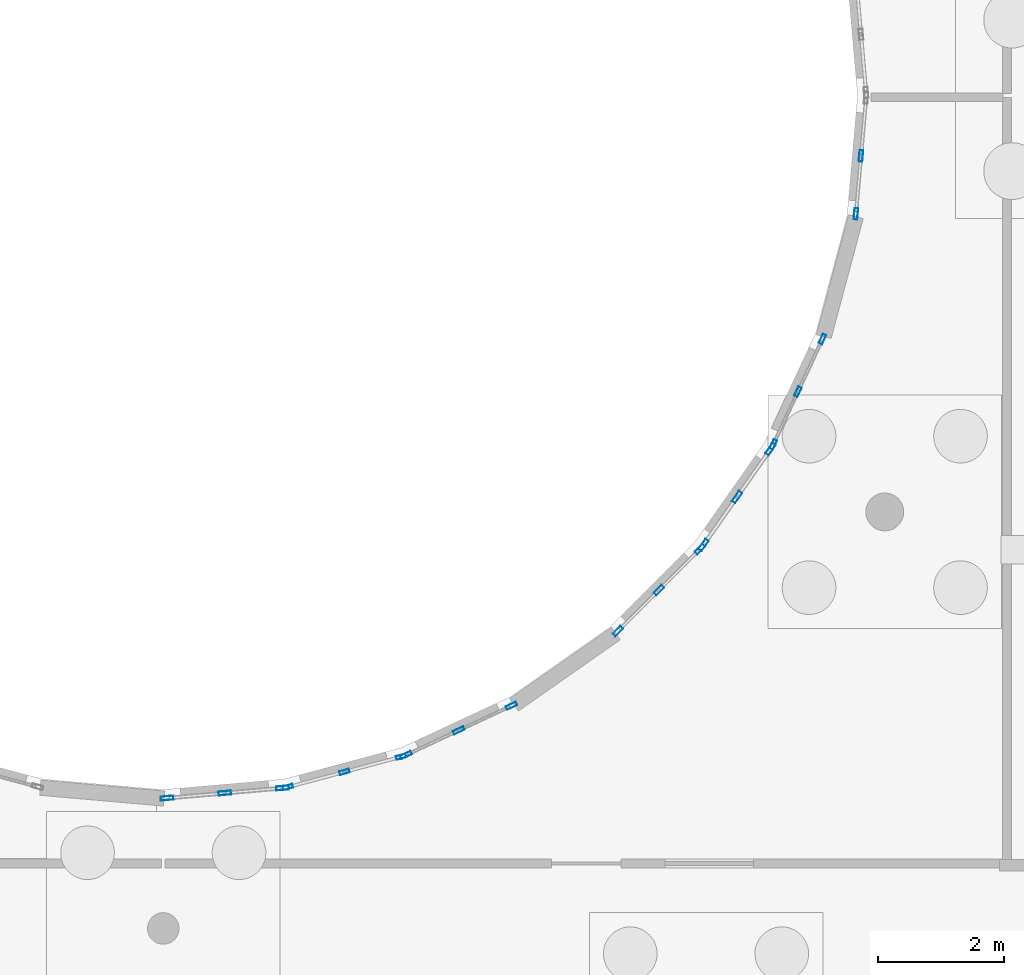
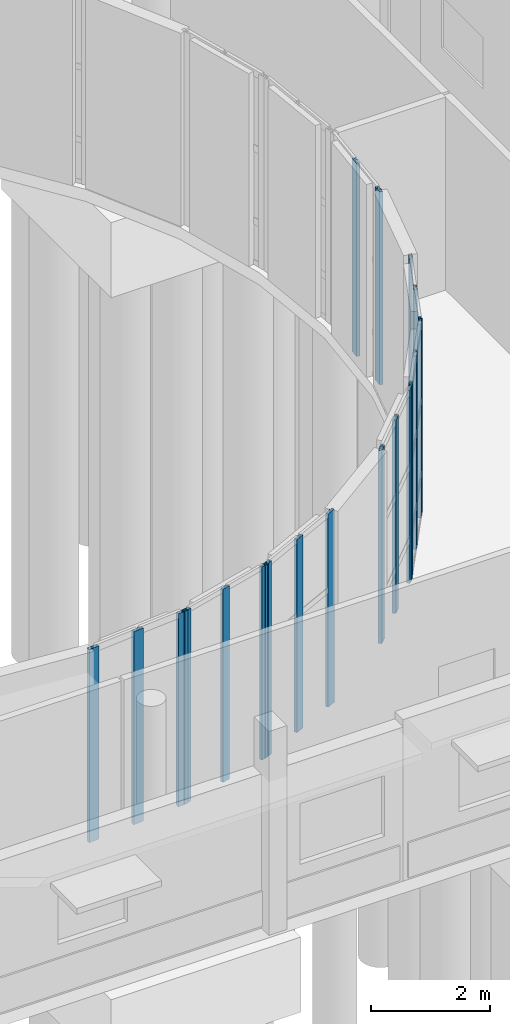
# One storey, part 30 of 93: 20 members, 7 elements without a shape of their own.
"""IFC4 building model written with IfcOpenShell, lengths in metres."""

from ifc_helpers import new_model, si_unit, direction, frame, origin, origin_2d, place, context, subcontext, project, spatial, hollow_rectangle, extrude, material, layer, layer_set, material_profile, profile_set, type_object, element, aggregate, save


model = new_model("IFC4")

# Units and contexts
model_context = context("Model", 3, precision=1e-05, world=origin(), true_north=direction((0.0, 1.0)))
body_context = subcontext(model_context, "Body", "Model", "MODEL_VIEW")
ifc_project = project(units=[si_unit("LENGTHUNIT", "METRE"), si_unit("AREAUNIT", "SQUARE_METRE"), si_unit("VOLUMEUNIT", "CUBIC_METRE"), si_unit("PLANEANGLEUNIT", "RADIAN"), si_unit("MASSUNIT", "GRAM", prefix="KILO")], contexts=[model_context])

# Site, building, storey
site_placement = place(None, origin())
site = spatial("IfcSite", under=ifc_project, at=site_placement, CompositionType="ELEMENT")
building_placement = place(site_placement, origin())
building = spatial("IfcBuilding", under=site, at=building_placement, Name="Kelanivale Promenade Academy", CompositionType="ELEMENT")
storey_placement = place(building_placement, origin())
storey = spatial("IfcBuildingStorey", under=building, at=storey_placement, Name="L00", CompositionType="ELEMENT", Elevation=0.0)

# Curtain wall, members
ifc_material_1 = material(Name="Bronze anodised aluminium and solar-control low-E glass", Category="aluminium")
ifc_layer_1 = layer(ifc_material_1, 0.159912109375)
ifc_layer_set_1 = layer_set([ifc_layer_1], Name="Bronze anodised aluminium and solar-control low-E glass")
curtain_wall_type_1 = type_object("IfcCurtainWallType", Name="CW-21 Curtain Wall 1650mm Module", PredefinedType="USERDEFINED", material=ifc_layer_set_1)
curtain_wall_1_placement = place(storey_placement, origin())
curtain_wall_1 = element("IfcCurtainWall", 1, at=curtain_wall_1_placement, inside=storey, type_object=curtain_wall_type_1, Name="L00 courtyard curtain wall CW-21", ObjectType="COURTYARD SCREEN GLAZING", PredefinedType="USERDEFINED")
ifc_material_2 = material(Name="Bronze anodised aluminium EN AW-6063 T6", Category="aluminium")
ifc_material_profile_1 = material_profile(ifc_material_2, hollow_rectangle(XDim=0.06005859375, YDim=0.159912109375, WallThickness=0.00390625, at=origin_2d()), Name="ALU 60x160x4.0")
ifc_profile_set_1 = profile_set([ifc_material_profile_1], Name="Bronze anodised aluminium EN AW-6063 T6")
member_type_1 = type_object("IfcMemberType", Name="CWM-01 ALU 60x160x4.0", PredefinedType="MULLION", material=ifc_profile_set_1)
member_1_placement = place(storey_placement, frame((65.375, 45.83984375, 0.0), z_axis=(0.0, 0.0, 1.0), x_axis=(-0.258701323721, 0.96595736195, 0.0)))
member_1 = element("IfcMember", 2, at=member_1_placement, type_object=member_type_1, Name="CW-21 mullion 1", PredefinedType="MULLION", context=body_context, shape_type="SweptSolid", body=[
    extrude(hollow_rectangle(XDim=0.06005859375, YDim=0.159912109375, WallThickness=0.00390625, at=origin_2d()), origin(), (0.0, 0.0, 1.0), 3.97998046875),
])
member_2_placement = place(storey_placement, frame((66.27197265625, 46.080078125, 0.0), z_axis=(0.0, 0.0, 1.0), x_axis=(-0.258701323721, 0.96595736195, 0.0)))
member_2 = element("IfcMember", 3, at=member_2_placement, type_object=member_type_1, Name="CW-21 mullion 2", PredefinedType="MULLION", context=body_context, shape_type="SweptSolid", body=[
    extrude(hollow_rectangle(XDim=0.06005859375, YDim=0.159912109375, WallThickness=0.00390625, at=origin_2d()), origin(), (0.0, 0.0, 1.0), 3.97998046875),
])
member_3_placement = place(storey_placement, frame((67.1689453125, 46.3203125, 0.0), z_axis=(0.0, 0.0, 1.0), x_axis=(-0.258701323721, 0.96595736195, 0.0)))
member_3 = element("IfcMember", 4, at=member_3_placement, type_object=member_type_1, Name="CW-21 mullion 3", PredefinedType="MULLION", context=body_context, shape_type="SweptSolid", body=[
    extrude(hollow_rectangle(XDim=0.06005859375, YDim=0.159912109375, WallThickness=0.00390625, at=origin_2d()), origin(), (0.0, 0.0, 1.0), 3.97998046875),
])
aggregate(curtain_wall_1, [member_1, member_2, member_3])

ifc_layer_2 = layer(ifc_material_1, 0.169921875)
ifc_layer_set_2 = layer_set([ifc_layer_2], Name="Bronze anodised aluminium and solar-control low-E glass")
curtain_wall_type_2 = type_object("IfcCurtainWallType", Name="CW-01 Curtain Wall 1350mm Module", PredefinedType="USERDEFINED", material=ifc_layer_set_2)
curtain_wall_2_placement = place(storey_placement, origin())
curtain_wall_2 = element("IfcCurtainWall", 5, at=curtain_wall_2_placement, inside=storey, type_object=curtain_wall_type_2, Name="L00 courtyard curtain wall CW-01", ObjectType="UNITISED GLAZING", PredefinedType="USERDEFINED")
member_4_placement = place(storey_placement, frame((73.065673828125, 51.26806640625, 0.0), z_axis=(0.0, 0.0, 1.0), x_axis=(-0.906089128146, 0.423086860887, 0.0)))
member_4 = element("IfcMember", 6, at=member_4_placement, type_object=member_type_1, Name="CW-01 mullion 1", PredefinedType="MULLION", context=body_context, shape_type="SweptSolid", body=[
    extrude(hollow_rectangle(XDim=0.06005859375, YDim=0.159912109375, WallThickness=0.00390625, at=origin_2d()), origin(), (0.0, 0.0, 1.0), 3.97998046875),
])
member_5_placement = place(storey_placement, frame((73.45556640625, 52.10302734375, 0.0), z_axis=(0.0, 0.0, 1.0), x_axis=(-0.906089128146, 0.423086860887, 0.0)))
member_5 = element("IfcMember", 7, at=member_5_placement, type_object=member_type_1, Name="CW-01 mullion 2", PredefinedType="MULLION", context=body_context, shape_type="SweptSolid", body=[
    extrude(hollow_rectangle(XDim=0.06005859375, YDim=0.159912109375, WallThickness=0.00390625, at=origin_2d()), origin(), (0.0, 0.0, 1.0), 3.97998046875),
])
member_6_placement = place(storey_placement, frame((73.84521484375, 52.937744140625, 0.0), z_axis=(0.0, 0.0, 1.0), x_axis=(-0.906089128146, 0.423086860887, 0.0)))
member_6 = element("IfcMember", 8, at=member_6_placement, type_object=member_type_1, Name="CW-01 mullion 3", PredefinedType="MULLION", context=body_context, shape_type="SweptSolid", body=[
    extrude(hollow_rectangle(XDim=0.06005859375, YDim=0.159912109375, WallThickness=0.00390625, at=origin_2d()), origin(), (0.0, 0.0, 1.0), 3.97998046875),
])
aggregate(curtain_wall_2, [member_4, member_5, member_6])

ifc_layer_3 = layer(ifc_material_1, 0.169921875)
ifc_layer_set_3 = layer_set([ifc_layer_3], Name="Bronze anodised aluminium and solar-control low-E glass")
curtain_wall_type_3 = type_object("IfcCurtainWallType", Name="CW-22 Curtain Wall 1800mm Module", PredefinedType="USERDEFINED", material=ifc_layer_set_3)
curtain_wall_3_placement = place(storey_placement, origin())
curtain_wall_3 = element("IfcCurtainWall", 9, at=curtain_wall_3_placement, inside=storey, type_object=curtain_wall_type_3, Name="L00 courtyard curtain wall CW-22", ObjectType="COURTYARD SCREEN GLAZING", PredefinedType="USERDEFINED")
ifc_material_profile_2 = material_profile(ifc_material_2, hollow_rectangle(XDim=0.06005859375, YDim=0.179931640625, WallThickness=0.00390625, at=origin_2d()), Name="ALU 60x180x4.0")
ifc_profile_set_2 = profile_set([ifc_material_profile_2], Name="Bronze anodised aluminium EN AW-6063 T6")
member_type_2 = type_object("IfcMemberType", Name="CWM-02 ALU 60x180x4.0", PredefinedType="MULLION", material=ifc_profile_set_2)
member_7_placement = place(storey_placement, frame((67.248291015625, 46.3486328125, 0.0), z_axis=(0.0, 0.0, 1.0), x_axis=(-0.423086860887, 0.906089128146, 0.0)))
member_7 = element("IfcMember", 10, at=member_7_placement, type_object=member_type_2, Name="CW-22 mullion 1", PredefinedType="MULLION", context=body_context, shape_type="SweptSolid", body=[
    extrude(hollow_rectangle(XDim=0.06005859375, YDim=0.179931640625, WallThickness=0.00390625, at=origin_2d()), origin(), (0.0, 0.0, 1.0), 3.97998046875),
])
member_8_placement = place(storey_placement, frame((68.0830078125, 46.738525390625, 0.0), z_axis=(0.0, 0.0, 1.0), x_axis=(-0.423086860887, 0.906089128146, 0.0)))
member_8 = element("IfcMember", 11, at=member_8_placement, type_object=member_type_2, Name="CW-22 mullion 2", PredefinedType="MULLION", context=body_context, shape_type="SweptSolid", body=[
    extrude(hollow_rectangle(XDim=0.06005859375, YDim=0.179931640625, WallThickness=0.00390625, at=origin_2d()), origin(), (0.0, 0.0, 1.0), 3.97998046875),
])
member_9_placement = place(storey_placement, frame((68.917724609375, 47.12841796875, 0.0), z_axis=(0.0, 0.0, 1.0), x_axis=(-0.423086860887, 0.906089128146, 0.0)))
member_9 = element("IfcMember", 12, at=member_9_placement, type_object=member_type_2, Name="CW-22 mullion 3", PredefinedType="MULLION", context=body_context, shape_type="SweptSolid", body=[
    extrude(hollow_rectangle(XDim=0.06005859375, YDim=0.179931640625, WallThickness=0.00390625, at=origin_2d()), origin(), (0.0, 0.0, 1.0), 3.97998046875),
])
aggregate(curtain_wall_3, [member_7, member_8, member_9])

ifc_layer_4 = layer(ifc_material_1, 0.179931640625)
ifc_layer_set_4 = layer_set([ifc_layer_4], Name="Bronze anodised aluminium and solar-control low-E glass")
curtain_wall_type_4 = type_object("IfcCurtainWallType", Name="CW-02 Curtain Wall 1500mm Module", PredefinedType="USERDEFINED", material=ifc_layer_set_4)
curtain_wall_4_placement = place(storey_placement, origin())
curtain_wall_4 = element("IfcCurtainWall", 13, at=curtain_wall_4_placement, inside=storey, type_object=curtain_wall_type_4, Name="L00 courtyard curtain wall CW-02", ObjectType="UNITISED GLAZING", PredefinedType="USERDEFINED")
member_10_placement = place(storey_placement, frame((74.375732421875, 54.9228515625, 0.0), z_axis=(0.0, 0.0, 1.0), x_axis=(-0.996185153601, 0.087264768066, 0.0)))
member_10 = element("IfcMember", 14, at=member_10_placement, type_object=member_type_2, Name="CW-02 mullion 1", PredefinedType="MULLION", context=body_context, shape_type="SweptSolid", body=[
    extrude(hollow_rectangle(XDim=0.06005859375, YDim=0.179931640625, WallThickness=0.00390625, at=origin_2d()), origin(), (0.0, 0.0, 1.0), 3.97998046875),
])
member_11_placement = place(storey_placement, frame((74.4560546875, 55.840576171875, 0.0), z_axis=(0.0, 0.0, 1.0), x_axis=(-0.996185153601, 0.087264768066, 0.0)))
member_11 = element("IfcMember", 15, at=member_11_placement, type_object=member_type_2, Name="CW-02 mullion 2", PredefinedType="MULLION", context=body_context, shape_type="SweptSolid", body=[
    extrude(hollow_rectangle(XDim=0.06005859375, YDim=0.179931640625, WallThickness=0.00390625, at=origin_2d()), origin(), (0.0, 0.0, 1.0), 3.97998046875),
])
aggregate(curtain_wall_4, [member_10, member_11])

ifc_layer_5 = layer(ifc_material_1, 0.179931640625)
ifc_layer_set_5 = layer_set([ifc_layer_5], Name="Bronze anodised aluminium and solar-control low-E glass")
curtain_wall_type_5 = type_object("IfcCurtainWallType", Name="CW-23 Curtain Wall 1950mm Module", PredefinedType="USERDEFINED", material=ifc_layer_set_5)
curtain_wall_5_placement = place(storey_placement, origin())
curtain_wall_5 = element("IfcCurtainWall", 16, at=curtain_wall_5_placement, inside=storey, type_object=curtain_wall_type_5, Name="L00 courtyard curtain wall CW-23", ObjectType="COURTYARD SCREEN GLAZING", PredefinedType="USERDEFINED")
ifc_material_profile_3 = material_profile(ifc_material_2, hollow_rectangle(XDim=0.06494140625, YDim=0.175048828125, WallThickness=0.00390625, at=origin_2d()), Name="ALU 65x175x4.0")
ifc_profile_set_3 = profile_set([ifc_material_profile_3], Name="Bronze anodised aluminium EN AW-6063 T6")
member_type_3 = type_object("IfcMemberType", Name="CWM-03 ALU 65x175x4.0", PredefinedType="MULLION", material=ifc_profile_set_3)
member_12_placement = place(storey_placement, frame((70.60400390625, 48.30908203125, 0.0), z_axis=(0.0, 0.0, 1.0), x_axis=(-0.707106781187, 0.707106781187, 0.0)))
member_12 = element("IfcMember", 17, at=member_12_placement, type_object=member_type_3, Name="CW-23 mullion 1", PredefinedType="MULLION", context=body_context, shape_type="SweptSolid", body=[
    extrude(hollow_rectangle(XDim=0.06494140625, YDim=0.175048828125, WallThickness=0.00390625, at=origin_2d()), origin(), (0.0, 0.0, 1.0), 3.97998046875),
])
member_13_placement = place(storey_placement, frame((71.2529296875, 48.9580078125, 0.0), z_axis=(0.0, 0.0, 1.0), x_axis=(-0.707106781187, 0.707106781187, 0.0)))
member_13 = element("IfcMember", 18, at=member_13_placement, type_object=member_type_3, Name="CW-23 mullion 2", PredefinedType="MULLION", context=body_context, shape_type="SweptSolid", body=[
    extrude(hollow_rectangle(XDim=0.06494140625, YDim=0.175048828125, WallThickness=0.00390625, at=origin_2d()), origin(), (0.0, 0.0, 1.0), 3.97998046875),
])
member_14_placement = place(storey_placement, frame((71.902099609375, 49.60693359375, 0.0), z_axis=(0.0, 0.0, 1.0), x_axis=(-0.707106781187, 0.707106781187, 0.0)))
member_14 = element("IfcMember", 19, at=member_14_placement, type_object=member_type_3, Name="CW-23 mullion 3", PredefinedType="MULLION", context=body_context, shape_type="SweptSolid", body=[
    extrude(hollow_rectangle(XDim=0.06494140625, YDim=0.175048828125, WallThickness=0.00390625, at=origin_2d()), origin(), (0.0, 0.0, 1.0), 3.97998046875),
])
aggregate(curtain_wall_5, [member_12, member_13, member_14])

ifc_layer_6 = layer(ifc_material_1, 0.179931640625)
ifc_layer_set_6 = layer_set([ifc_layer_6], Name="Bronze anodised aluminium and solar-control low-E glass")
curtain_wall_type_6 = type_object("IfcCurtainWallType", Name="CW-20 Curtain Wall 1500mm Module", PredefinedType="USERDEFINED", material=ifc_layer_set_6)
curtain_wall_6_placement = place(storey_placement, origin())
curtain_wall_6 = element("IfcCurtainWall", 20, at=curtain_wall_6_placement, inside=storey, type_object=curtain_wall_type_6, Name="L00 courtyard curtain wall CW-20", ObjectType="COURTYARD SCREEN GLAZING", PredefinedType="USERDEFINED")
ifc_material_profile_4 = material_profile(ifc_material_2, hollow_rectangle(XDim=0.06494140625, YDim=0.199951171875, WallThickness=0.00439453125, at=origin_2d()), Name="ALU 65x200x4.5")
ifc_profile_set_4 = profile_set([ifc_material_profile_4], Name="Bronze anodised aluminium EN AW-6063 T6")
member_type_4 = type_object("IfcMemberType", Name="CWM-04 ALU 65x200x4.5", PredefinedType="MULLION", material=ifc_profile_set_4)
member_15_placement = place(storey_placement, frame((63.45947265625, 45.664794921875, 0.0), z_axis=(0.0, 0.0, 1.0), x_axis=(-0.087264768066, 0.996185153601, 0.0)))
member_15 = element("IfcMember", 21, at=member_15_placement, type_object=member_type_4, Name="CW-20 mullion 1", PredefinedType="MULLION", context=body_context, shape_type="SweptSolid", body=[
    extrude(hollow_rectangle(XDim=0.06494140625, YDim=0.199951171875, WallThickness=0.00439453125, at=origin_2d()), origin(), (0.0, 0.0, 1.0), 3.97998046875),
])
member_16_placement = place(storey_placement, frame((64.37451171875, 45.7451171875, 0.0), z_axis=(0.0, 0.0, 1.0), x_axis=(-0.087264768066, 0.996185153601, 0.0)))
member_16 = element("IfcMember", 22, at=member_16_placement, type_object=member_type_4, Name="CW-20 mullion 2", PredefinedType="MULLION", context=body_context, shape_type="SweptSolid", body=[
    extrude(hollow_rectangle(XDim=0.06494140625, YDim=0.199951171875, WallThickness=0.00439453125, at=origin_2d()), origin(), (0.0, 0.0, 1.0), 3.97998046875),
])
member_17_placement = place(storey_placement, frame((65.28955078125, 45.8251953125, 0.0), z_axis=(0.0, 0.0, 1.0), x_axis=(-0.087264768066, 0.996185153601, 0.0)))
member_17 = element("IfcMember", 23, at=member_17_placement, type_object=member_type_4, Name="CW-20 mullion 3", PredefinedType="MULLION", context=body_context, shape_type="SweptSolid", body=[
    extrude(hollow_rectangle(XDim=0.06494140625, YDim=0.199951171875, WallThickness=0.00439453125, at=origin_2d()), origin(), (0.0, 0.0, 1.0), 3.97998046875),
])
aggregate(curtain_wall_6, [member_15, member_16, member_17])

ifc_layer_7 = layer(ifc_material_1, 0.159912109375)
ifc_layer_set_7 = layer_set([ifc_layer_7], Name="Bronze anodised aluminium and solar-control low-E glass")
curtain_wall_type_7 = type_object("IfcCurtainWallType", Name="CW-24 Curtain Wall 1200mm Module", PredefinedType="USERDEFINED", material=ifc_layer_set_7)
curtain_wall_7_placement = place(storey_placement, origin())
curtain_wall_7 = element("IfcCurtainWall", 24, at=curtain_wall_7_placement, inside=storey, type_object=curtain_wall_type_7, Name="L00 courtyard curtain wall CW-24", ObjectType="COURTYARD SCREEN GLAZING", PredefinedType="USERDEFINED")
member_18_placement = place(storey_placement, frame((71.959716796875, 49.675537109375, 0.0), z_axis=(0.0, 0.0, 1.0), x_axis=(-0.81915842439, 0.573567324515, 0.0)))
member_18 = element("IfcMember", 25, at=member_18_placement, type_object=member_type_4, Name="CW-24 mullion 1", PredefinedType="MULLION", context=body_context, shape_type="SweptSolid", body=[
    extrude(hollow_rectangle(XDim=0.06494140625, YDim=0.199951171875, WallThickness=0.00439453125, at=origin_2d()), origin(), (0.0, 0.0, 1.0), 3.97998046875),
])
member_19_placement = place(storey_placement, frame((72.490966796875, 50.4345703125, 0.0), z_axis=(0.0, 0.0, 1.0), x_axis=(-0.81915842439, 0.573567324515, 0.0)))
member_19 = element("IfcMember", 26, at=member_19_placement, type_object=member_type_4, Name="CW-24 mullion 2", PredefinedType="MULLION", context=body_context, shape_type="SweptSolid", body=[
    extrude(hollow_rectangle(XDim=0.06494140625, YDim=0.199951171875, WallThickness=0.00439453125, at=origin_2d()), origin(), (0.0, 0.0, 1.0), 3.97998046875),
])
member_20_placement = place(storey_placement, frame((73.0224609375, 51.193359375, 0.0), z_axis=(0.0, 0.0, 1.0), x_axis=(-0.81915842439, 0.573567324515, 0.0)))
member_20 = element("IfcMember", 27, at=member_20_placement, type_object=member_type_4, Name="CW-24 mullion 3", PredefinedType="MULLION", context=body_context, shape_type="SweptSolid", body=[
    extrude(hollow_rectangle(XDim=0.06494140625, YDim=0.199951171875, WallThickness=0.00439453125, at=origin_2d()), origin(), (0.0, 0.0, 1.0), 3.97998046875),
])
aggregate(curtain_wall_7, [member_18, member_19, member_20])

save(model, "model.ifc")
